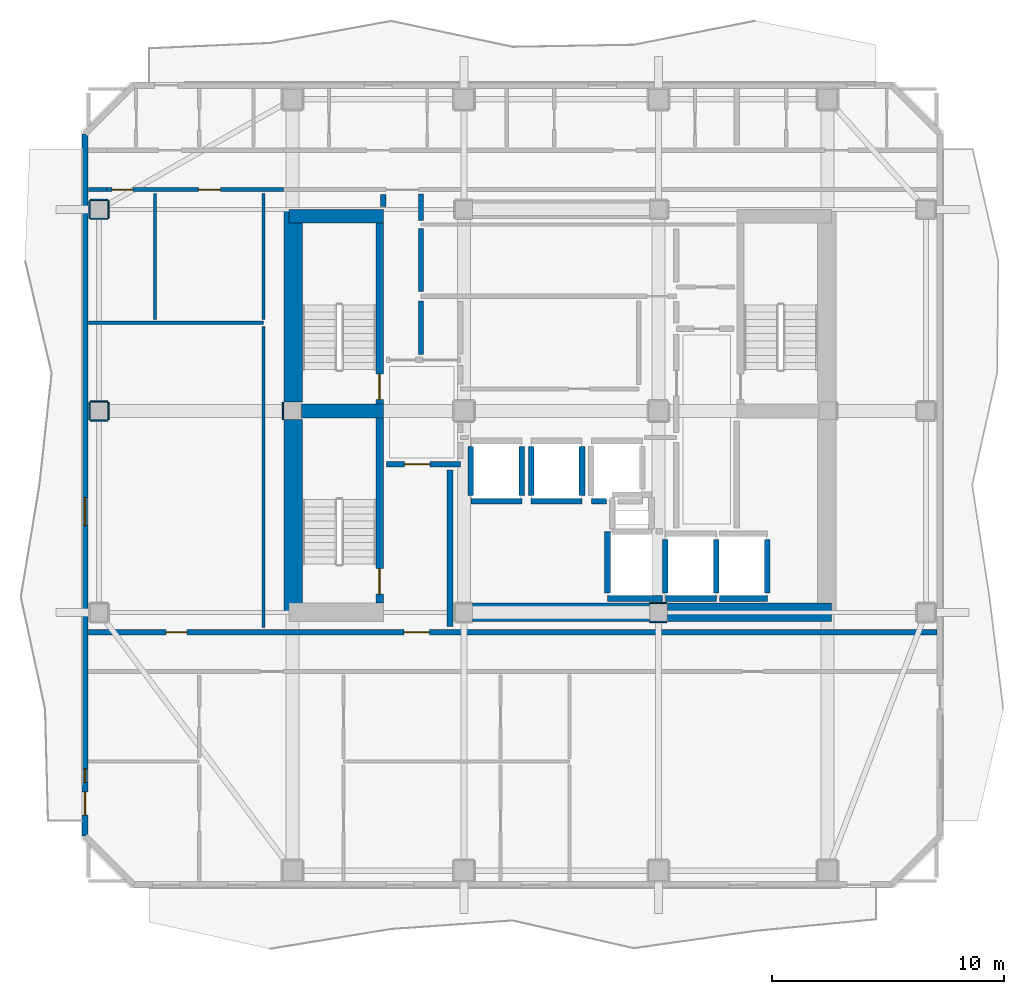
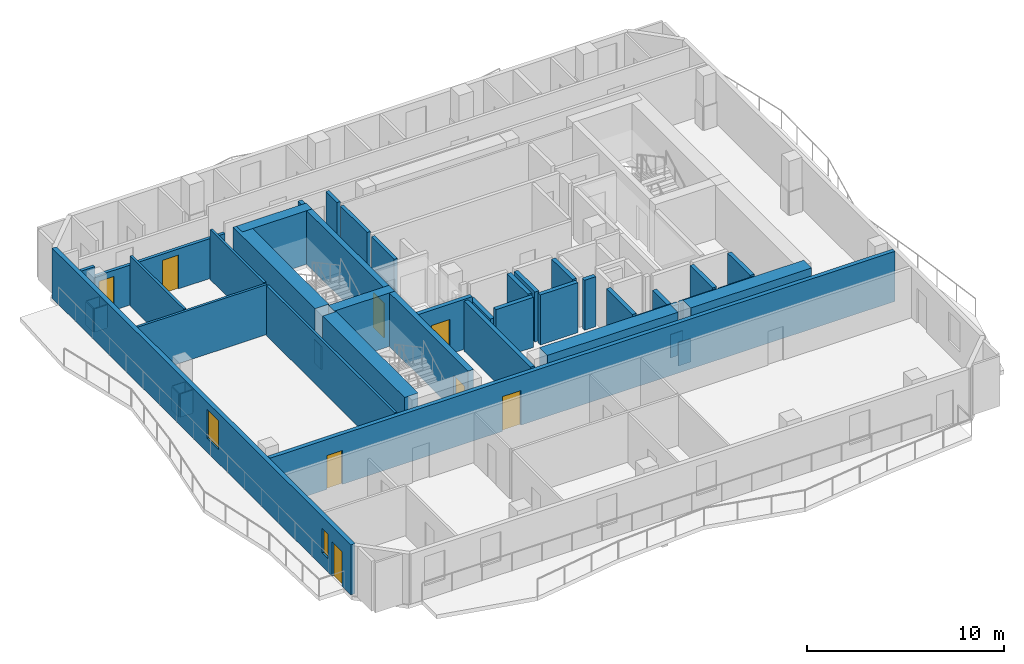
# One storey, part 3 of 10: 47 walls, 8 doors, 2 windows, 10 openings.
"""IFC4 building model written with IfcOpenShell, lengths in metres."""

from ifc_helpers import new_model, si_unit, direction, frame, frame_2d, origin, place, context, subcontext, project, spatial, rectangle, extrude, material, layer, layer_set, type_object, element, fill, save


model = new_model("IFC4")

# Units and contexts
model_context = context("Model", 3, precision=1e-05, world=origin(), true_north=direction((0.0, 1.0)))
body_context = subcontext(model_context, "Body", "Model", "MODEL_VIEW")
ifc_project = project(units=[si_unit("LENGTHUNIT", "METRE"), si_unit("AREAUNIT", "SQUARE_METRE"), si_unit("VOLUMEUNIT", "CUBIC_METRE"), si_unit("PLANEANGLEUNIT", "RADIAN"), si_unit("MASSUNIT", "GRAM", prefix="KILO")], contexts=[model_context])

# Site, building, storey
site_placement = place(None, origin())
site = spatial("IfcSite", under=ifc_project, at=site_placement, CompositionType="ELEMENT")
building_placement = place(site_placement, origin())
building = spatial("IfcBuilding", under=site, at=building_placement, Name="Solanera Arch Residences", CompositionType="ELEMENT")
storey_placement = place(building_placement, frame((0.0, 0.0, 203.43994140625)))
storey = spatial("IfcBuildingStorey", under=building, at=storey_placement, Name="L59", CompositionType="ELEMENT", Elevation=203.43994140625)

# Walls
ifc_material_1 = material(Name="Fire-Rated Gypsum Stud Partition", Category="gypsum")
ifc_layer_1 = layer(ifc_material_1, 0.06005859375)
ifc_layer_set_1 = layer_set([ifc_layer_1], Name="Fire-Rated Gypsum Stud Partition")
wall_type_1 = type_object("IfcWallType", Name="Column Acoustic Furring Wall 60", PredefinedType="PARTITIONING", material=ifc_layer_set_1)
for number, where, z_axis, x_axis, name in (
    (1, (28.8330078125, 21.593017578125, 0.0), (0.0, 0.0, 1.0), (1.0, 0.0, 0.0), "L59 Column Furring 2S"),
    (2, (28.8330078125, 22.406982421875, 0.0), (0.0, 0.0, 1.0), (1.0, 0.0, 0.0), "L59 Column Furring 2N"),
):
    element("IfcWall", number, at=place(storey_placement, frame(where, z_axis=z_axis, x_axis=x_axis)), inside=storey, type_object=wall_type_1, Name=name, PredefinedType="PARTITIONING", context=body_context, shape_type="SweptSolid", body=[
        extrude(rectangle(XDim=0.73388671875, YDim=0.06005859375, at=frame_2d((0.366943359375, 0.0))), origin(), (0.0, 0.0, 1.0), 1.449951171875),
    ])
for number, where, z_axis, x_axis, name in (
    (3, (12.992919921875, 30.324951171875, 0.0), (0.0, 0.0, 1.0), (0.0, 1.0, 0.0), "L59 Column Furring 5W"),
    (4, (4.675048828125, 30.29296875, 0.0), (0.0, 0.0, 1.0), (1.0, 0.0, 0.0), "L59 Column Furring 19S"),
    (5, (4.675048828125, 31.10693359375, 0.0), (0.0, 0.0, 1.0), (1.0, 0.0, 0.0), "L59 Column Furring 19N"),
    (6, (4.64306640625, 30.324951171875, 0.0), (0.0, 0.0, 1.0), (0.0, 1.0, 0.0), "L59 Column Furring 19W"),
    (7, (5.45703125, 30.324951171875, 0.0), (0.0, 0.0, 1.0), (0.0, 1.0, 0.0), "L59 Column Furring 19E"),
    (8, (4.675048828125, 38.992919921875, 0.0), (0.0, 0.0, 1.0), (1.0, 0.0, 0.0), "L59 Column Furring 21S"),
    (9, (4.675048828125, 39.806884765625, 0.0), (0.0, 0.0, 1.0), (1.0, 0.0, 0.0), "L59 Column Furring 21N"),
    (10, (4.64306640625, 39.02490234375, 0.0), (0.0, 0.0, 1.0), (0.0, 1.0, 0.0), "L59 Column Furring 21W"),
    (11, (5.45703125, 39.02490234375, 0.0), (0.0, 0.0, 1.0), (0.0, 1.0, 0.0), "L59 Column Furring 21E"),
):
    element("IfcWall", number, at=place(storey_placement, frame(where, z_axis=z_axis, x_axis=x_axis)), inside=storey, type_object=wall_type_1, Name=name, PredefinedType="PARTITIONING", context=body_context, shape_type="SweptSolid", body=[
        extrude(rectangle(XDim=0.75, YDim=0.06005859375, at=frame_2d((0.375, 0.0))), origin(), (0.0, 0.0, 1.0), 1.449951171875),
    ])

# Wall, opening, door
ifc_material_2 = material(Name="Concrete C40/50 (f'c = 45 MPa)", Category="concrete")
ifc_layer_2 = layer(ifc_material_2, 0.320068359375)
ifc_layer_set_2 = layer_set([ifc_layer_2], Name="Concrete C40/50 (f'c = 45 MPa)")
wall_type_2 = type_object("IfcWallType", Name="Core Shear Wall CW-320", PredefinedType="SHEAR", material=ifc_layer_set_2)
wall_1_placement = place(storey_placement, frame((17.159912109375, 31.0, 0.0), z_axis=(0.0, 0.0, 1.0), x_axis=(0.0, 1.0, 0.0)))
wall_1 = element("IfcWall", 12, at=wall_1_placement, inside=storey, type_object=wall_type_2, Name="L59 Stair ST-T1 East Shear Wall", PredefinedType="SHEAR", context=body_context, shape_type="SweptSolid", body=[
    extrude(rectangle(XDim=7.800048828125, YDim=0.320068359375, at=frame_2d((3.89990234375, 0.0))), origin(), (0.0, 0.0, 1.0), 3.320068359375),
])
opening_1_placement = place(wall_1_placement, frame((0.18994140625, 0.0, 0.0)))
opening_1 = element("IfcOpeningElement", 13, at=opening_1_placement, cuts=wall_1, Name="Opening DF-01", PredefinedType="OPENING", context=body_context, shape_type="SweptSolid", body=[
    extrude(rectangle(XDim=1.10009765625, YDim=2.14990234375, at=frame_2d((0.550048828125, 1.074951171875))), frame((0.0, 0.169921875, 0.0), z_axis=(0.0, -1.0, 0.0), x_axis=(1.0, 0.0, 0.0)), (0.0, 0.0, 1.0), 0.3401),
])
ifc_material_3 = material(Name="Fire-Rated Architectural Hardwood", Category="wood")
door_type_1 = type_object("IfcDoorType", Name="Stair Exit Fire Door DF-01", OperationType="NOTDEFINED", PredefinedType="DOOR", material=ifc_material_3)
door_1_placement = place(opening_1_placement, origin())
door_1 = element("IfcDoor", 14, at=door_1_placement, inside=storey, type_object=door_type_1, Name="DR-L59-STAIR-ST-T1", OperationType="SINGLE_SWING_RIGHT", OverallHeight=2.14990234375, OverallWidth=1.10009765625, PredefinedType="DOOR", context=body_context, shape_type="SweptSolid", body=[
    extrude(rectangle(XDim=1.10009765625, YDim=2.14990234375, at=frame_2d((0.550048828125, 1.074951171875))), frame((0.0, 0.02490234375, 0.0), z_axis=(0.0, -1.0, 0.0), x_axis=(1.0, 0.0, 0.0)), (0.0, 0.0, 1.0), 0.050048828125),
])
fill(opening_1, door_1)

wall_2_placement = place(storey_placement, frame((17.159912109375, 22.39990234375, 0.0), z_axis=(0.0, 0.0, 1.0), x_axis=(0.0, 1.0, 0.0)))
wall_2 = element("IfcWall", 15, at=wall_2_placement, inside=storey, type_object=wall_type_2, Name="L59 Stair ST-T3 East Shear Wall", PredefinedType="SHEAR", context=body_context, shape_type="SweptSolid", body=[
    extrude(rectangle(XDim=8.0, YDim=0.320068359375, at=frame_2d((4.0, 0.0))), origin(), (0.0, 0.0, 1.0), 3.320068359375),
])
opening_2_placement = place(wall_2_placement, frame((0.389892578125, 0.0, 0.0)))
opening_2 = element("IfcOpeningElement", 16, at=opening_2_placement, cuts=wall_2, Name="Opening DF-01", PredefinedType="OPENING", context=body_context, shape_type="SweptSolid", body=[
    extrude(rectangle(XDim=1.10009765625, YDim=2.14990234375, at=frame_2d((0.550048828125, 1.074951171875))), frame((0.0, 0.169921875, 0.0), z_axis=(0.0, -1.0, 0.0), x_axis=(1.0, 0.0, 0.0)), (0.0, 0.0, 1.0), 0.3401),
])
door_2_placement = place(opening_2_placement, origin())
door_2 = element("IfcDoor", 17, at=door_2_placement, inside=storey, type_object=door_type_1, Name="DR-L59-STAIR-ST-T3", OperationType="SINGLE_SWING_RIGHT", OverallHeight=2.14990234375, OverallWidth=1.10009765625, PredefinedType="DOOR", context=body_context, shape_type="SweptSolid", body=[
    extrude(rectangle(XDim=1.10009765625, YDim=2.14990234375, at=frame_2d((0.550048828125, 1.074951171875))), frame((0.0, 0.02490234375, 0.0), z_axis=(0.0, -1.0, 0.0), x_axis=(1.0, 0.0, 0.0)), (0.0, 0.0, 1.0), 0.050048828125),
])
fill(opening_2, door_2)

# Walls
ifc_material_4 = material(Name="Concrete C40/50 (f'c = 45 MPa)", Category="concrete")
ifc_layer_3 = layer(ifc_material_4, 0.60009765625)
ifc_layer_set_3 = layer_set([ifc_layer_3], Name="Concrete C40/50 (f'c = 45 MPa)")
wall_type_3 = type_object("IfcWallType", Name="Core Shear Wall CW-600", PredefinedType="SHEAR", material=ifc_layer_set_3)
wall_3_placement = place(storey_placement, frame((13.239990234375, 39.10009765625, 0.0), z_axis=(0.0, 0.0, 1.0), x_axis=(1.0, 0.0, 0.0)))
element("IfcWall", 18, at=wall_3_placement, inside=storey, type_object=wall_type_3, Name="L59 North-West Core Shear Wall", PredefinedType="SHEAR", context=body_context, shape_type="SweptSolid", body=[
    extrude(rectangle(XDim=4.080078125, YDim=0.60009765625, at=frame_2d((2.0400390625, 0.0))), origin(), (0.0, 0.0, 1.0), 3.320068359375),
])
wall_4_placement = place(storey_placement, frame((13.780029296875, 30.699951171875, 0.0), z_axis=(0.0, 0.0, 1.0), x_axis=(1.0, 0.0, 0.0)))
element("IfcWall", 19, at=wall_4_placement, inside=storey, type_object=wall_type_3, Name="L59 West Stair Divider Shear Wall", PredefinedType="SHEAR", context=body_context, shape_type="SweptSolid", body=[
    extrude(rectangle(XDim=3.5400390625, YDim=0.60009765625, at=frame_2d((1.77001953125, 0.0))), origin(), (0.0, 0.0, 1.0), 3.320068359375),
])
ifc_material_5 = material(Name="Concrete C40/50 (f'c = 45 MPa)", Category="concrete")
ifc_layer_4 = layer(ifc_material_5, 0.800048828125)
ifc_layer_set_4 = layer_set([ifc_layer_4], Name="Concrete C40/50 (f'c = 45 MPa)")
wall_type_4 = type_object("IfcWallType", Name="Core Shear Wall CW-800", PredefinedType="SHEAR", material=ifc_layer_set_4)
wall_5_placement = place(storey_placement, frame((13.43994140625, 22.0, 0.0), z_axis=(0.0, 0.0, 1.0), x_axis=(0.0, 1.0, 0.0)))
element("IfcWall", 20, at=wall_5_placement, inside=storey, type_object=wall_type_4, Name="L59 West Core South Shear Wall", PredefinedType="SHEAR", context=body_context, shape_type="SweptSolid", body=[
    extrude(rectangle(XDim=8.320068359375, YDim=0.800048828125, at=frame_2d((4.16015625, 0.0))), origin(), (0.0, 0.0, 1.0), 3.320068359375),
])
wall_6_placement = place(storey_placement, frame((13.43994140625, 31.080078125, 0.0), z_axis=(0.0, 0.0, 1.0), x_axis=(0.0, 1.0, 0.0)))
element("IfcWall", 21, at=wall_6_placement, inside=storey, type_object=wall_type_4, Name="L59 West Core North Shear Wall", PredefinedType="SHEAR", context=body_context, shape_type="SweptSolid", body=[
    extrude(rectangle(XDim=8.31982421875, YDim=0.800048828125, at=frame_2d((4.159912109375, 0.0))), origin(), (0.0, 0.0, 1.0), 3.320068359375),
])
wall_7_placement = place(storey_placement, frame((29.580078125, 22.0, 0.0), z_axis=(0.0, 0.0, 1.0), x_axis=(1.0, 0.0, 0.0)))
element("IfcWall", 22, at=wall_7_placement, inside=storey, type_object=wall_type_4, Name="L59 South-East Core Shear Wall", PredefinedType="SHEAR", context=body_context, shape_type="SweptSolid", body=[
    extrude(rectangle(XDim=7.079833984375, YDim=0.800048828125, at=frame_2d((3.5400390625, 0.0))), origin(), (0.0, 0.0, 1.0), 3.320068359375),
])
wall_8_placement = place(storey_placement, frame((21.179931640625, 22.0, 0.0), z_axis=(0.0, 0.0, 1.0), x_axis=(1.0, 0.0, 0.0)))
element("IfcWall", 23, at=wall_8_placement, inside=storey, type_object=wall_type_4, Name="L59 Central South Core Shear Wall", PredefinedType="SHEAR", context=body_context, shape_type="SweptSolid", body=[
    extrude(rectangle(XDim=7.64013671875, YDim=0.800048828125, at=frame_2d((3.820068359375, 0.0))), origin(), (0.0, 0.0, 1.0), 3.320068359375),
])
ifc_material_6 = material(Name="Autoclaved Aerated Concrete Blockwork", Category="masonry")
ifc_layer_5 = layer(ifc_material_6, 0.179931640625)
ifc_layer_set_5 = layer_set([ifc_layer_5], Name="Autoclaved Aerated Concrete Blockwork")
wall_type_5 = type_object("IfcWallType", Name="Corridor Fire Partition 180", PredefinedType="PARTITIONING", material=ifc_layer_set_5)
wall_9_placement = place(storey_placement, frame((4.5869140625, 40.25, 0.0), z_axis=(0.0, 0.0, 1.0), x_axis=(1.0, 0.0, 0.0)))
element("IfcWall", 24, at=wall_9_placement, inside=storey, type_object=wall_type_5, Name="L59 Interior Partition H11 1", PredefinedType="PARTITIONING", context=body_context, shape_type="SweptSolid", body=[
    extrude(rectangle(XDim=0.801025390625, YDim=0.179931640625, at=frame_2d((0.400390625, 0.0))), origin(), (0.0, 0.0, 1.0), 3.10009765625),
])

# Wall, openings, doors
wall_10_placement = place(storey_placement, frame((5.387939453125, 40.25, 0.0), z_axis=(0.0, 0.0, 1.0), x_axis=(1.0, 0.0, 0.0)))
wall_10 = element("IfcWall", 25, at=wall_10_placement, inside=storey, type_object=wall_type_5, Name="L59 Interior Partition H11 2", PredefinedType="PARTITIONING", context=body_context, shape_type="SweptSolid", body=[
    extrude(rectangle(XDim=7.6240234375, YDim=0.179931640625, at=frame_2d((3.81201171875, 0.0))), origin(), (0.0, 0.0, 1.0), 2.47705078125),
])
opening_3_placement = place(wall_10_placement, frame((0.219970703125, 0.0, 0.0)))
opening_3 = element("IfcOpeningElement", 26, at=opening_3_placement, cuts=wall_10, Name="Opening DI-02", PredefinedType="OPENING", context=body_context, shape_type="SweptSolid", body=[
    extrude(rectangle(XDim=0.89990234375, YDim=2.10009765625, at=frame_2d((0.449951171875, 1.050048828125))), frame((0.0, 0.10009765625, 0.0), z_axis=(0.0, -1.0, 0.0), x_axis=(1.0, 0.0, 0.0)), (0.0, 0.0, 1.0), 0.1999),
])
opening_4_placement = place(wall_10_placement, frame((3.946044921875, 0.0, 0.0)))
opening_4 = element("IfcOpeningElement", 27, at=opening_4_placement, cuts=wall_10, Name="Opening DI-04", PredefinedType="OPENING", context=body_context, shape_type="SweptSolid", body=[
    extrude(rectangle(XDim=0.949951171875, YDim=2.10009765625, at=frame_2d((0.47509765625, 1.050048828125))), frame((0.0, 0.10009765625, 0.0), z_axis=(0.0, -1.0, 0.0), x_axis=(1.0, 0.0, 0.0)), (0.0, 0.0, 1.0), 0.1999),
])
ifc_material_7 = material(Name="Fire-Rated Architectural Hardwood", Category="wood")
door_type_2 = type_object("IfcDoorType", Name="Accessible Restroom Door DI-04", OperationType="NOTDEFINED", PredefinedType="DOOR", material=ifc_material_7)
door_3_placement = place(opening_4_placement, origin())
door_3 = element("IfcDoor", 28, at=door_3_placement, inside=storey, type_object=door_type_2, Name="DR-L59-IN-036", OperationType="SINGLE_SWING_LEFT", OverallHeight=2.10009765625, OverallWidth=0.949951171875, PredefinedType="DOOR", context=body_context, shape_type="SweptSolid", body=[
    extrude(rectangle(XDim=0.949951171875, YDim=2.10009765625, at=frame_2d((0.47509765625, 1.050048828125))), frame((0.0, 0.02490234375, 0.0), z_axis=(0.0, -1.0, 0.0), x_axis=(1.0, 0.0, 0.0)), (0.0, 0.0, 1.0), 0.050048828125),
])
fill(opening_4, door_3)
ifc_material_8 = material(Name="Fire-Rated Architectural Hardwood", Category="wood")
door_type_3 = type_object("IfcDoorType", Name="Suite Room Swing Door DI-02", OperationType="NOTDEFINED", PredefinedType="DOOR", material=ifc_material_8)
door_4_placement = place(opening_3_placement, origin())
door_4 = element("IfcDoor", 29, at=door_4_placement, inside=storey, type_object=door_type_3, Name="DR-L59-IN-035", OperationType="SINGLE_SWING_RIGHT", OverallHeight=2.10009765625, OverallWidth=0.89990234375, PredefinedType="DOOR", context=body_context, shape_type="SweptSolid", body=[
    extrude(rectangle(XDim=0.89990234375, YDim=2.10009765625, at=frame_2d((0.449951171875, 1.050048828125))), frame((0.0, 0.02490234375, 0.0), z_axis=(0.0, -1.0, 0.0), x_axis=(1.0, 0.0, 0.0)), (0.0, 0.0, 1.0), 0.050048828125),
])
fill(opening_3, door_4)

# Wall, openings, door, windows
ifc_material_9 = material(Name="Precast Concrete C35/45", Category="concrete")
ifc_layer_6 = layer(ifc_material_9, 0.260009765625)
ifc_layer_set_6 = layer_set([ifc_layer_6], Name="Precast Concrete C35/45")
wall_type_6 = type_object("IfcWallType", Name="Exterior Wall Precast Masonry-Frame 260", PredefinedType="STANDARD", material=ifc_layer_set_6)
wall_11_placement = place(storey_placement, frame((4.445068359375, 12.344970703125, 0.0), z_axis=(0.0, 0.0, 1.0), x_axis=(0.0, 1.0, 0.0)))
wall_11 = element("IfcWall", 30, at=wall_11_placement, inside=storey, type_object=wall_type_6, Name="L59 Tower Exterior Precast Masonry-Frame Wall W", PredefinedType="STANDARD", context=body_context, shape_type="SweptSolid", body=[
    extrude(rectangle(XDim=30.31005859375, YDim=0.260009765625, at=frame_2d((15.155029296875, 0.0))), origin(), (0.0, 0.0, 1.0), 3.10009765625),
])
opening_5_placement = place(wall_11_placement, frame((0.909912109375, 0.0, 0.0)))
opening_5 = element("IfcOpeningElement", 31, at=opening_5_placement, cuts=wall_11, Name="Opening DB-01", PredefinedType="OPENING", context=body_context, shape_type="SweptSolid", body=[
    extrude(rectangle(XDim=1.0, YDim=2.14990234375, at=frame_2d((0.5, 1.074951171875))), frame((0.0, 0.139892578125, 0.0), z_axis=(0.0, -1.0, 0.0), x_axis=(1.0, 0.0, 0.0)), (0.0, 0.0, 1.0), 0.28),
])
opening_6_placement = place(wall_11_placement, frame((2.322021484375, 0.0, 0.85009765625)))
opening_6 = element("IfcOpeningElement", 32, at=opening_6_placement, cuts=wall_11, Name="Opening W-14", PredefinedType="OPENING", context=body_context, shape_type="SweptSolid", body=[
    extrude(rectangle(XDim=0.580078125, YDim=1.5, at=frame_2d((0.2900390625, 0.75))), frame((0.0, 0.139892578125, 0.0), z_axis=(0.0, -1.0, 0.0), x_axis=(1.0, 0.0, 0.0)), (0.0, 0.0, 1.0), 0.28),
])
opening_7_placement = place(wall_11_placement, frame((13.405029296875, 0.0, 0.85009765625)))
opening_7 = element("IfcOpeningElement", 33, at=opening_7_placement, cuts=wall_11, Name="Opening W-01", PredefinedType="OPENING", context=body_context, shape_type="SweptSolid", body=[
    extrude(rectangle(XDim=1.199951171875, YDim=1.800048828125, at=frame_2d((0.60009765625, 0.89990234375))), frame((0.0, 0.139892578125, 0.0), z_axis=(0.0, -1.0, 0.0), x_axis=(1.0, 0.0, 0.0)), (0.0, 0.0, 1.0), 0.28),
])
ifc_material_10 = material(Name="Anodised Aluminium Alloy 6063-T6", Category="aluminium")
door_type_4 = type_object("IfcDoorType", Name="Glazed Balcony Swing Door DB-01", OperationType="NOTDEFINED", PredefinedType="DOOR", material=ifc_material_10)
door_5_placement = place(opening_5_placement, origin())
door_5 = element("IfcDoor", 34, at=door_5_placement, inside=storey, type_object=door_type_4, Name="DR-L59-OUT-04", OperationType="SINGLE_SWING_RIGHT", OverallHeight=2.14990234375, OverallWidth=1.0, PredefinedType="DOOR", context=body_context, shape_type="SweptSolid", body=[
    extrude(rectangle(XDim=1.0, YDim=2.14990234375, at=frame_2d((0.5, 1.074951171875))), frame((0.0, 0.02490234375, 0.0), z_axis=(0.0, -1.0, 0.0), x_axis=(1.0, 0.0, 0.0)), (0.0, 0.0, 1.0), 0.050048828125),
])
fill(opening_5, door_5)
ifc_material_11 = material(Name="Double Glazed Low-E Laminated Glass", Category="glass")
window_type_1 = type_object("IfcWindowType", Name="Punched Window W-01", PartitioningType="SINGLE_PANEL", PredefinedType="WINDOW", material=ifc_material_11)
window_1_placement = place(opening_7_placement, origin())
window_1 = element("IfcWindow", 35, at=window_1_placement, inside=storey, type_object=window_type_1, Name="L59 AMN-FIT Punched Window", OverallHeight=1.800048828125, OverallWidth=1.199951171875, PartitioningType="SINGLE_PANEL", PredefinedType="WINDOW", context=body_context, shape_type="SweptSolid", body=[
    extrude(rectangle(XDim=1.199951171875, YDim=1.800048828125, at=frame_2d((0.60009765625, 0.89990234375))), frame((0.0, 0.030029296875, 0.0), z_axis=(0.0, -1.0, 0.0), x_axis=(1.0, 0.0, 0.0)), (0.0, 0.0, 1.0), 0.06005859375),
])
fill(opening_7, window_1)
ifc_material_12 = material(Name="Double Glazed Low-E Laminated Glass", Category="glass")
window_type_2 = type_object("IfcWindowType", Name="Punched Window W-14", PartitioningType="SINGLE_PANEL", PredefinedType="WINDOW", material=ifc_material_12)
window_2_placement = place(opening_6_placement, origin())
window_2 = element("IfcWindow", 36, at=window_2_placement, inside=storey, type_object=window_type_2, Name="L59 5901-BR1 Punched Window", OverallHeight=1.5, OverallWidth=0.580078125, PartitioningType="SINGLE_PANEL", PredefinedType="WINDOW", context=body_context, shape_type="SweptSolid", body=[
    extrude(rectangle(XDim=0.580078125, YDim=1.5, at=frame_2d((0.2900390625, 0.75))), frame((0.0, 0.030029296875, 0.0), z_axis=(0.0, -1.0, 0.0), x_axis=(1.0, 0.0, 0.0)), (0.0, 0.0, 1.0), 0.06005859375),
])
fill(opening_6, window_2)

# Walls
ifc_material_13 = material(Name="Autoclaved Aerated Concrete Blockwork", Category="masonry")
ifc_layer_7 = layer(ifc_material_13, 0.199951171875)
ifc_layer_set_7 = layer_set([ifc_layer_7], Name="Autoclaved Aerated Concrete Blockwork")
wall_type_7 = type_object("IfcWallType", Name="Party Wall Acoustic 200", PredefinedType="PARTITIONING", material=ifc_layer_set_7)
wall_12_placement = place(storey_placement, frame((18.949951171875, 33.1279296875, 0.0), z_axis=(0.0, 0.0, 1.0), x_axis=(0.0, 1.0, 0.0)))
element("IfcWall", 37, at=wall_12_placement, inside=storey, type_object=wall_type_7, Name="L59 Interior Partition V7 1", PredefinedType="PARTITIONING", context=body_context, shape_type="SweptSolid", body=[
    extrude(rectangle(XDim=2.31396484375, YDim=0.199951171875, at=frame_2d((1.156982421875, 0.0))), origin(), (0.0, 0.0, 1.0), 3.10009765625),
])
wall_13_placement = place(storey_placement, frame((18.949951171875, 35.85791015625, 0.0), z_axis=(0.0, 0.0, 1.0), x_axis=(0.0, 1.0, 0.0)))
element("IfcWall", 38, at=wall_13_placement, inside=storey, type_object=wall_type_7, Name="L59 Interior Partition V7 2", PredefinedType="PARTITIONING", context=body_context, shape_type="SweptSolid", body=[
    extrude(rectangle(XDim=2.72412109375, YDim=0.199951171875, at=frame_2d((1.362060546875, 0.0))), origin(), (0.0, 0.0, 1.0), 3.10009765625),
])
wall_14_placement = place(storey_placement, frame((18.949951171875, 38.91796875, 0.0), z_axis=(0.0, 0.0, 1.0), x_axis=(0.0, 1.0, 0.0)))
element("IfcWall", 39, at=wall_14_placement, inside=storey, type_object=wall_type_7, Name="L59 Interior Partition V7 3", PredefinedType="PARTITIONING", context=body_context, shape_type="SweptSolid", body=[
    extrude(rectangle(XDim=1.134033203125, YDim=0.199951171875, at=frame_2d((0.56689453125, 0.0))), origin(), (0.0, 0.0, 1.0), 3.10009765625),
])
ifc_material_14 = material(Name="Autoclaved Aerated Concrete Blockwork", Category="masonry")
ifc_layer_8 = layer(ifc_material_14, 0.239990234375)
ifc_layer_set_8 = layer_set([ifc_layer_8], Name="Autoclaved Aerated Concrete Blockwork")
wall_type_8 = type_object("IfcWallType", Name="Shaft Wall Fire-Rated 240", PredefinedType="PARTITIONING", material=ifc_layer_set_8)
wall_15_placement = place(storey_placement, frame((21.10009765625, 26.800048828125, 0.0), z_axis=(0.0, 0.0, 1.0), x_axis=(1.0, 0.0, 0.0)))
element("IfcWall", 40, at=wall_15_placement, inside=storey, type_object=wall_type_8, Name="L59 Lift PL-H1 Hoistway Wall S", PredefinedType="PARTITIONING", context=body_context, shape_type="SweptSolid", body=[
    extrude(rectangle(XDim=2.199951171875, YDim=0.239990234375, at=frame_2d((1.10009765625, 0.0))), origin(), (0.0, 0.0, 1.0), 3.10009765625),
])
wall_16_placement = place(storey_placement, frame((21.10009765625, 27.048095703125, 0.0), z_axis=(0.0, 0.0, 1.0), x_axis=(0.0, 1.0, 0.0)))
element("IfcWall", 41, at=wall_16_placement, inside=storey, type_object=wall_type_8, Name="L59 Lift PL-H1 Hoistway Wall W", PredefinedType="PARTITIONING", context=body_context, shape_type="SweptSolid", body=[
    extrude(rectangle(XDim=2.10400390625, YDim=0.239990234375, at=frame_2d((1.052001953125, 0.0))), origin(), (0.0, 0.0, 1.0), 2.3349609375),
])
wall_17_placement = place(storey_placement, frame((23.300048828125, 27.048095703125, 0.0), z_axis=(0.0, 0.0, 1.0), x_axis=(0.0, 1.0, 0.0)))
element("IfcWall", 42, at=wall_17_placement, inside=storey, type_object=wall_type_8, Name="L59 Lift PL-H1 Hoistway Wall E", PredefinedType="PARTITIONING", context=body_context, shape_type="SweptSolid", body=[
    extrude(rectangle(XDim=2.10400390625, YDim=0.239990234375, at=frame_2d((1.052001953125, 0.0))), origin(), (0.0, 0.0, 1.0), 3.10009765625),
])
wall_18_placement = place(storey_placement, frame((23.699951171875, 26.800048828125, 0.0), z_axis=(0.0, 0.0, 1.0), x_axis=(1.0, 0.0, 0.0)))
element("IfcWall", 43, at=wall_18_placement, inside=storey, type_object=wall_type_8, Name="L59 Lift PL-H2 Hoistway Wall S", PredefinedType="PARTITIONING", context=body_context, shape_type="SweptSolid", body=[
    extrude(rectangle(XDim=2.199951171875, YDim=0.239990234375, at=frame_2d((1.10009765625, 0.0))), origin(), (0.0, 0.0, 1.0), 3.10009765625),
])
for number, where, z_axis, x_axis, name in (
    (44, (23.699951171875, 27.048095703125, 0.0), (0.0, 0.0, 1.0), (0.0, 1.0, 0.0), "L59 Lift PL-H2 Hoistway Wall W"),
    (45, (25.89990234375, 27.048095703125, 0.0), (0.0, 0.0, 1.0), (0.0, 1.0, 0.0), "L59 Lift PL-H2 Hoistway Wall E"),
):
    element("IfcWall", number, at=place(storey_placement, frame(where, z_axis=z_axis, x_axis=x_axis)), inside=storey, type_object=wall_type_8, Name=name, PredefinedType="PARTITIONING", context=body_context, shape_type="SweptSolid", body=[
        extrude(rectangle(XDim=2.10400390625, YDim=0.239990234375, at=frame_2d((1.052001953125, 0.0))), origin(), (0.0, 0.0, 1.0), 3.10009765625),
    ])
wall_19_placement = place(storey_placement, frame((26.300048828125, 26.800048828125, 0.0), z_axis=(0.0, 0.0, 1.0), x_axis=(1.0, 0.0, 0.0)))
element("IfcWall", 46, at=wall_19_placement, inside=storey, type_object=wall_type_8, Name="L59 Lift PL-H3 Hoistway Wall S 1", PredefinedType="PARTITIONING", context=body_context, shape_type="SweptSolid", body=[
    extrude(rectangle(XDim=0.64990234375, YDim=0.239990234375, at=frame_2d((0.324951171875, 0.0))), origin(), (0.0, 0.0, 1.0), 3.10009765625),
])
wall_20_placement = place(storey_placement, frame((29.5, 22.60009765625, 0.0), z_axis=(0.0, 0.0, 1.0), x_axis=(1.0, 0.0, 0.0)))
element("IfcWall", 47, at=wall_20_placement, inside=storey, type_object=wall_type_8, Name="L59 Lift FFL-1 Hoistway Wall S", PredefinedType="PARTITIONING", context=body_context, shape_type="SweptSolid", body=[
    extrude(rectangle(XDim=2.199951171875, YDim=0.239990234375, at=frame_2d((1.10009765625, 0.0))), origin(), (0.0, 0.0, 1.0), 3.10009765625),
])
wall_21_placement = place(storey_placement, frame((29.5, 22.847900390625, 0.0), z_axis=(0.0, 0.0, 1.0), x_axis=(0.0, 1.0, 0.0)))
element("IfcWall", 48, at=wall_21_placement, inside=storey, type_object=wall_type_8, Name="L59 Lift FFL-1 Hoistway Wall W", PredefinedType="PARTITIONING", context=body_context, shape_type="SweptSolid", body=[
    extrude(rectangle(XDim=2.30419921875, YDim=0.239990234375, at=frame_2d((1.152099609375, 0.0))), origin(), (0.0, 0.0, 1.0), 2.3349609375),
])
wall_22_placement = place(storey_placement, frame((31.699951171875, 22.847900390625, 0.0), z_axis=(0.0, 0.0, 1.0), x_axis=(0.0, 1.0, 0.0)))
element("IfcWall", 49, at=wall_22_placement, inside=storey, type_object=wall_type_8, Name="L59 Lift FFL-1 Hoistway Wall E", PredefinedType="PARTITIONING", context=body_context, shape_type="SweptSolid", body=[
    extrude(rectangle(XDim=2.30419921875, YDim=0.239990234375, at=frame_2d((1.152099609375, 0.0))), origin(), (0.0, 0.0, 1.0), 3.10009765625),
])
wall_23_placement = place(storey_placement, frame((31.827880859375, 22.60009765625, 0.0), z_axis=(0.0, 0.0, 1.0), x_axis=(1.0, 0.0, 0.0)))
element("IfcWall", 50, at=wall_23_placement, inside=storey, type_object=wall_type_8, Name="L59 Lift FFL-2 Hoistway Wall S", PredefinedType="PARTITIONING", context=body_context, shape_type="SweptSolid", body=[
    extrude(rectangle(XDim=2.072021484375, YDim=0.239990234375, at=frame_2d((1.0361328125, 0.0))), origin(), (0.0, 0.0, 1.0), 3.10009765625),
])
wall_24_placement = place(storey_placement, frame((33.89990234375, 22.847900390625, 0.0), z_axis=(0.0, 0.0, 1.0), x_axis=(0.0, 1.0, 0.0)))
element("IfcWall", 51, at=wall_24_placement, inside=storey, type_object=wall_type_8, Name="L59 Lift FFL-2 Hoistway Wall E", PredefinedType="PARTITIONING", context=body_context, shape_type="SweptSolid", body=[
    extrude(rectangle(XDim=2.30419921875, YDim=0.239990234375, at=frame_2d((1.152099609375, 0.0))), origin(), (0.0, 0.0, 1.0), 3.10009765625),
])
wall_25_placement = place(storey_placement, frame((27.0, 22.60009765625, 0.0), z_axis=(0.0, 0.0, 1.0), x_axis=(1.0, 0.0, 0.0)))
element("IfcWall", 52, at=wall_25_placement, inside=storey, type_object=wall_type_8, Name="L59 Lift SVL-1 Hoistway Wall S", PredefinedType="PARTITIONING", context=body_context, shape_type="SweptSolid", body=[
    extrude(rectangle(XDim=2.3720703125, YDim=0.239990234375, at=frame_2d((1.18603515625, 0.0))), origin(), (0.0, 0.0, 1.0), 3.10009765625),
])
wall_26_placement = place(storey_placement, frame((27.0, 22.847900390625, 0.0), z_axis=(0.0, 0.0, 1.0), x_axis=(0.0, 1.0, 0.0)))
element("IfcWall", 53, at=wall_26_placement, inside=storey, type_object=wall_type_8, Name="L59 Lift SVL-1 Hoistway Wall W", PredefinedType="PARTITIONING", context=body_context, shape_type="SweptSolid", body=[
    extrude(rectangle(XDim=2.650146484375, YDim=0.239990234375, at=frame_2d((1.3251953125, 0.0))), origin(), (0.0, 0.0, 1.0), 3.10009765625),
])

# Wall, openings, doors
wall_27_placement = place(storey_placement, frame((4.5869140625, 21.14990234375, 0.0), z_axis=(0.0, 0.0, 1.0), x_axis=(1.0, 0.0, 0.0)))
wall_27 = element("IfcWall", 54, at=wall_27_placement, inside=storey, type_object=wall_type_8, Name="L59 Interior Partition H1", PredefinedType="PARTITIONING", context=body_context, shape_type="SweptSolid", body=[
    extrude(rectangle(XDim=36.6259765625, YDim=0.239990234375, at=frame_2d((18.31298828125, 0.0))), origin(), (0.0, 0.0, 1.0), 3.10009765625),
])
opening_8_placement = place(wall_27_placement, frame((13.623046875, 0.0, 0.0)))
opening_8 = element("IfcOpeningElement", 55, at=opening_8_placement, cuts=wall_27, Name="Opening DF-02", PredefinedType="OPENING", context=body_context, shape_type="SweptSolid", body=[
    extrude(rectangle(XDim=1.10009765625, YDim=2.14990234375, at=frame_2d((0.550048828125, 1.074951171875))), frame((0.0, 0.1298828125, 0.0), z_axis=(0.0, -1.0, 0.0), x_axis=(1.0, 0.0, 0.0)), (0.0, 0.0, 1.0), 0.26),
])
opening_9_placement = place(wall_27_placement, frame((3.362060546875, 0.0, 0.0)))
opening_9 = element("IfcOpeningElement", 56, at=opening_9_placement, cuts=wall_27, Name="Opening DI-02", PredefinedType="OPENING", context=body_context, shape_type="SweptSolid", body=[
    extrude(rectangle(XDim=0.89990234375, YDim=2.10009765625, at=frame_2d((0.449951171875, 1.050048828125))), frame((0.0, 0.1298828125, 0.0), z_axis=(0.0, -1.0, 0.0), x_axis=(1.0, 0.0, 0.0)), (0.0, 0.0, 1.0), 0.26),
])
ifc_material_15 = material(Name="Fire-Rated Architectural Hardwood", Category="wood")
door_type_5 = type_object("IfcDoorType", Name="Firefighting Lobby Fire Door DF-02", OperationType="NOTDEFINED", PredefinedType="DOOR", material=ifc_material_15)
door_6_placement = place(opening_8_placement, origin())
door_6 = element("IfcDoor", 57, at=door_6_placement, inside=storey, type_object=door_type_5, Name="DR-L59-IN-008", OperationType="SINGLE_SWING_LEFT", OverallHeight=2.14990234375, OverallWidth=1.10009765625, PredefinedType="DOOR", context=body_context, shape_type="SweptSolid", body=[
    extrude(rectangle(XDim=1.10009765625, YDim=2.14990234375, at=frame_2d((0.550048828125, 1.074951171875))), frame((0.0, 0.02490234375, 0.0), z_axis=(0.0, -1.0, 0.0), x_axis=(1.0, 0.0, 0.0)), (0.0, 0.0, 1.0), 0.050048828125),
])
fill(opening_8, door_6)
door_7_placement = place(opening_9_placement, origin())
door_7 = element("IfcDoor", 58, at=door_7_placement, inside=storey, type_object=door_type_3, Name="DR-L59-IN-034", OperationType="SINGLE_SWING_LEFT", OverallHeight=2.10009765625, OverallWidth=0.89990234375, PredefinedType="DOOR", context=body_context, shape_type="SweptSolid", body=[
    extrude(rectangle(XDim=0.89990234375, YDim=2.10009765625, at=frame_2d((0.449951171875, 1.050048828125))), frame((0.0, 0.02490234375, 0.0), z_axis=(0.0, -1.0, 0.0), x_axis=(1.0, 0.0, 0.0)), (0.0, 0.0, 1.0), 0.050048828125),
])
fill(opening_9, door_7)

# Wall, opening, door
wall_28_placement = place(storey_placement, frame((17.449951171875, 28.39990234375, 0.0), z_axis=(0.0, 0.0, 1.0), x_axis=(1.0, 0.0, 0.0)))
wall_28 = element("IfcWall", 59, at=wall_28_placement, inside=storey, type_object=wall_type_8, Name="L59 Interior Partition H3", PredefinedType="PARTITIONING", context=body_context, shape_type="SweptSolid", body=[
    extrude(rectangle(XDim=3.199951171875, YDim=0.239990234375, at=frame_2d((1.60009765625, 0.0))), origin(), (0.0, 0.0, 1.0), 3.10009765625),
])
opening_10_placement = place(wall_28_placement, frame((0.783935546875, 0.0, 0.0)))
opening_10 = element("IfcOpeningElement", 60, at=opening_10_placement, cuts=wall_28, Name="Opening DF-02", PredefinedType="OPENING", context=body_context, shape_type="SweptSolid", body=[
    extrude(rectangle(XDim=1.10009765625, YDim=2.14990234375, at=frame_2d((0.550048828125, 1.074951171875))), frame((0.0, 0.1298828125, 0.0), z_axis=(0.0, -1.0, 0.0), x_axis=(1.0, 0.0, 0.0)), (0.0, 0.0, 1.0), 0.26),
])
door_8_placement = place(opening_10_placement, origin())
door_8 = element("IfcDoor", 61, at=door_8_placement, inside=storey, type_object=door_type_5, Name="DR-L59-IN-004", OperationType="SINGLE_SWING_LEFT", OverallHeight=2.14990234375, OverallWidth=1.10009765625, PredefinedType="DOOR", context=body_context, shape_type="SweptSolid", body=[
    extrude(rectangle(XDim=1.10009765625, YDim=2.14990234375, at=frame_2d((0.550048828125, 1.074951171875))), frame((0.0, 0.02490234375, 0.0), z_axis=(0.0, -1.0, 0.0), x_axis=(1.0, 0.0, 0.0)), (0.0, 0.0, 1.0), 0.050048828125),
])
fill(opening_10, door_8)

# Walls
wall_29_placement = place(storey_placement, frame((17.320068359375, 39.530029296875, 0.0), z_axis=(0.0, 0.0, 1.0), x_axis=(0.0, 1.0, 0.0)))
element("IfcWall", 62, at=wall_29_placement, inside=storey, type_object=wall_type_8, Name="L59 Interior Partition V1", PredefinedType="PARTITIONING", context=body_context, shape_type="SweptSolid", body=[
    extrude(rectangle(XDim=0.501953125, YDim=0.239990234375, at=frame_2d((0.2509765625, 0.0))), origin(), (0.0, 0.0, 1.0), 3.10009765625),
])
wall_30_placement = place(storey_placement, frame((20.199951171875, 21.39794921875, 0.0), z_axis=(0.0, 0.0, 1.0), x_axis=(0.0, 1.0, 0.0)))
element("IfcWall", 63, at=wall_30_placement, inside=storey, type_object=wall_type_8, Name="L59 Interior Partition V2", PredefinedType="PARTITIONING", context=body_context, shape_type="SweptSolid", body=[
    extrude(rectangle(XDim=6.754150390625, YDim=0.239990234375, at=frame_2d((3.376953125, 0.0))), origin(), (0.0, 0.0, 1.0), 3.10009765625),
])
ifc_material_16 = material(Name="Autoclaved Aerated Concrete Blockwork", Category="masonry")
ifc_layer_9 = layer(ifc_material_16, 0.139892578125)
ifc_layer_set_9 = layer_set([ifc_layer_9], Name="Autoclaved Aerated Concrete Blockwork")
wall_type_9 = type_object("IfcWallType", Name="Wet-Room Partition 140", PredefinedType="PARTITIONING", material=ifc_layer_set_9)
wall_31_placement = place(storey_placement, frame((4.5869140625, 34.5, 0.0), z_axis=(0.0, 0.0, 1.0), x_axis=(1.0, 0.0, 0.0)))
element("IfcWall", 64, at=wall_31_placement, inside=storey, type_object=wall_type_9, Name="L59 Interior Partition H15", PredefinedType="PARTITIONING", context=body_context, shape_type="SweptSolid", body=[
    extrude(rectangle(XDim=7.56298828125, YDim=0.139892578125, at=frame_2d((3.781494140625, 0.0))), origin(), (0.0, 0.0, 1.0), 3.10009765625),
])
wall_32_placement = place(storey_placement, frame((7.468994140625, 34.64794921875, 0.0), z_axis=(0.0, 0.0, 1.0), x_axis=(0.0, 1.0, 0.0)))
element("IfcWall", 65, at=wall_32_placement, inside=storey, type_object=wall_type_9, Name="L59 Interior Partition V13", PredefinedType="PARTITIONING", context=body_context, shape_type="SweptSolid", body=[
    extrude(rectangle(XDim=5.43408203125, YDim=0.139892578125, at=frame_2d((2.717041015625, 0.0))), origin(), (0.0, 0.0, 1.0), 3.10009765625),
])
wall_33_placement = place(storey_placement, frame((12.14990234375, 21.347900390625, 0.0), z_axis=(0.0, 0.0, 1.0), x_axis=(0.0, 1.0, 0.0)))
element("IfcWall", 66, at=wall_33_placement, inside=storey, type_object=wall_type_9, Name="L59 Interior Partition V17 1", PredefinedType="PARTITIONING", context=body_context, shape_type="SweptSolid", body=[
    extrude(rectangle(XDim=13.004150390625, YDim=0.139892578125, at=frame_2d((6.501953125, 0.0))), origin(), (0.0, 0.0, 1.0), 3.10009765625),
])
wall_34_placement = place(storey_placement, frame((12.14990234375, 34.64794921875, 0.0), z_axis=(0.0, 0.0, 1.0), x_axis=(0.0, 1.0, 0.0)))
element("IfcWall", 67, at=wall_34_placement, inside=storey, type_object=wall_type_9, Name="L59 Interior Partition V17 2", PredefinedType="PARTITIONING", context=body_context, shape_type="SweptSolid", body=[
    extrude(rectangle(XDim=5.43408203125, YDim=0.139892578125, at=frame_2d((2.717041015625, 0.0))), origin(), (0.0, 0.0, 1.0), 3.10009765625),
])

save(model, "model.ifc")
